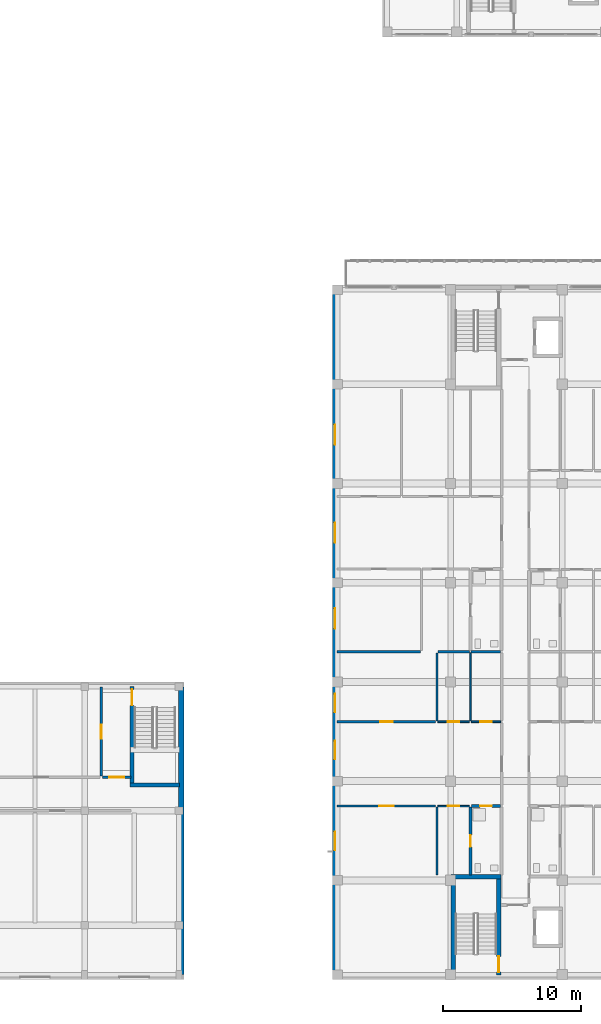
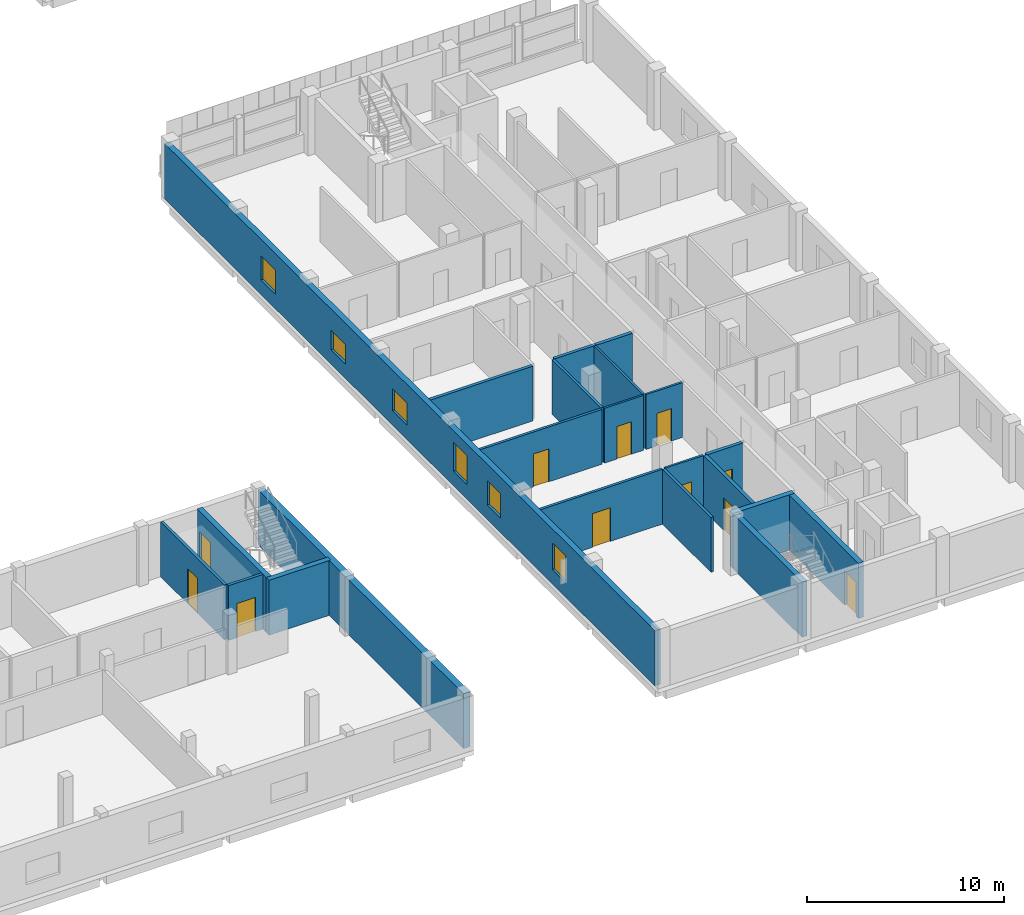
# One storey, part 46 of 73: 22 walls, 11 doors, 6 windows, 17 openings.
"""IFC4 building model written with IfcOpenShell, lengths in metres."""

from ifc_helpers import new_model, si_unit, derived_unit, direction, frame, frame_2d, origin, place, context, subcontext, project, spatial, rectangle, extrude, material, layer, layer_set, type_object, element, fill, save


model = new_model("IFC4")

# Units and contexts
model_context = context("Model", 3, precision=1e-05, world=origin(), true_north=direction((0.0, 1.0)))
body_context = subcontext(model_context, "Body", "Model", "MODEL_VIEW")
ifc_project = project(units=[si_unit("LENGTHUNIT", "METRE"), si_unit("AREAUNIT", "SQUARE_METRE"), si_unit("VOLUMEUNIT", "CUBIC_METRE"), si_unit("PLANEANGLEUNIT", "RADIAN"), si_unit("MASSUNIT", "GRAM", prefix="KILO"), derived_unit("THERMALTRANSMITTANCEUNIT", [(si_unit("MASSUNIT", "GRAM", prefix="KILO"), 1), (si_unit("TIMEUNIT", "SECOND"), -3), (si_unit("THERMODYNAMICTEMPERATUREUNIT", "KELVIN"), -1)])], contexts=[model_context])

# Site, building, storey
site_placement = place(None, origin())
site = spatial("IfcSite", under=ifc_project, at=site_placement, CompositionType="ELEMENT")
building_placement = place(site_placement, origin())
building = spatial("IfcBuilding", under=site, at=building_placement, Name="Ochrekiln Boulevard Commons", CompositionType="ELEMENT")
storey_placement = place(building_placement, frame((0.0, 0.0, 4.89990234375)))
storey = spatial("IfcBuildingStorey", under=building, at=storey_placement, Name="L01", CompositionType="ELEMENT", Elevation=4.89990234375)

# Wall
ifc_material_1 = material(Name="Desert ochre clinker brick masonry ASTM C216 Grade SW", Category="masonry")
ifc_layer_1 = layer(ifc_material_1, 0.3798828125)
ifc_layer_set_1 = layer_set([ifc_layer_1], Name="Desert ochre clinker brick masonry ASTM C216 Grade SW")
wall_type_1 = type_object("IfcWallType", Name="WL-EXT-ARC-380", PredefinedType="SOLIDWALL", material=ifc_layer_set_1)
wall_1_placement = place(storey_placement, frame((136.610107421875, 0.3798828125, 0.0), z_axis=(0.0, 0.0, 1.0), x_axis=(0.0, 1.0, 0.0)))
element("IfcWall", 1, at=wall_1_placement, inside=storey, type_object=wall_type_1, Name="East Boulevard Arcade L01 E Exterior Wall", PredefinedType="SOLIDWALL", context=body_context, shape_type="SweptSolid", body=[
    extrude(rectangle(XDim=20.840087890625, YDim=0.3798828125, at=frame_2d((10.419921875, 0.0))), origin(), (0.0, 0.0, 1.0), 3.400146484375),
])

# Wall, openings, windows
ifc_layer_2 = layer(ifc_material_1, 0.330078125)
ifc_layer_set_2 = layer_set([ifc_layer_2], Name="Desert ochre clinker brick masonry ASTM C216 Grade SW")
wall_type_2 = type_object("IfcWallType", Name="WL-EXT-OCHRE-330", PredefinedType="SOLIDWALL", material=ifc_layer_set_2)
wall_2_placement = place(storey_placement, frame((147.764892578125, 0.330078125, 0.0), z_axis=(0.0, 0.0, 1.0), x_axis=(0.0, 1.0, 0.0)))
wall_2 = element("IfcWall", 2, at=wall_2_placement, inside=storey, type_object=wall_type_2, Name="Block C L01 W Exterior Wall", PredefinedType="SOLIDWALL", context=body_context, shape_type="SweptSolid", body=[
    extrude(rectangle(XDim=49.739990234375, YDim=0.330078125, at=frame_2d((24.8701171875, 0.0))), origin(), (0.0, 0.0, 1.0), 3.4150390625),
])
opening_1_placement = place(wall_2_placement, frame((15.64501953125, 0.0, 0.89990234375)))
opening_1 = element("IfcOpeningElement", 3, at=opening_1_placement, cuts=wall_2, Name="Opening W-23", PredefinedType="OPENING", context=body_context, shape_type="SweptSolid", body=[
    extrude(rectangle(XDim=1.35009765625, YDim=1.5, at=frame_2d((0.675048828125, 0.75))), frame((0.0, 0.175048828125, 0.0), z_axis=(0.0, -1.0, 0.0), x_axis=(1.0, 0.0, 0.0)), (0.0, 0.0, 1.0), 0.35009765625),
])
opening_2_placement = place(wall_2_placement, frame((9.051025390625, 0.0, 0.89990234375)))
opening_2 = element("IfcOpeningElement", 4, at=opening_2_placement, cuts=wall_2, Name="Opening W-24", PredefinedType="OPENING", context=body_context, shape_type="SweptSolid", body=[
    extrude(rectangle(XDim=1.35009765625, YDim=1.64990234375, at=frame_2d((0.675048828125, 0.824951171875))), frame((0.0, 0.175048828125, 0.0), z_axis=(0.0, -1.0, 0.0), x_axis=(1.0, 0.0, 0.0)), (0.0, 0.0, 1.0), 0.35009765625),
])
opening_3_placement = place(wall_2_placement, frame((19.054931640625, 0.0, 0.89990234375)))
opening_3 = element("IfcOpeningElement", 5, at=opening_3_placement, cuts=wall_2, Name="Opening W-25", PredefinedType="OPENING", context=body_context, shape_type="SweptSolid", body=[
    extrude(rectangle(XDim=1.35009765625, YDim=1.800048828125, at=frame_2d((0.675048828125, 0.89990234375))), frame((0.0, 0.175048828125, 0.0), z_axis=(0.0, -1.0, 0.0), x_axis=(1.0, 0.0, 0.0)), (0.0, 0.0, 1.0), 0.35009765625),
])
opening_4_placement = place(wall_2_placement, frame((31.35107421875, 0.0, 0.89990234375)))
opening_4 = element("IfcOpeningElement", 6, at=opening_4_placement, cuts=wall_2, Name="Opening W-26", PredefinedType="OPENING", context=body_context, shape_type="SweptSolid", body=[
    extrude(rectangle(XDim=1.47998046875, YDim=1.199951171875, at=frame_2d((0.739990234375, 0.60009765625))), frame((0.0, 0.175048828125, 0.0), z_axis=(0.0, -1.0, 0.0), x_axis=(1.0, 0.0, 0.0)), (0.0, 0.0, 1.0), 0.35009765625),
])
opening_5_placement = place(wall_2_placement, frame((25.135986328125, 0.0, 0.89990234375)))
opening_5 = element("IfcOpeningElement", 7, at=opening_5_placement, cuts=wall_2, Name="Opening W-27", PredefinedType="OPENING", context=body_context, shape_type="SweptSolid", body=[
    extrude(rectangle(XDim=1.47998046875, YDim=1.35009765625, at=frame_2d((0.739990234375, 0.675048828125))), frame((0.0, 0.175048828125, 0.0), z_axis=(0.0, -1.0, 0.0), x_axis=(1.0, 0.0, 0.0)), (0.0, 0.0, 1.0), 0.35009765625),
])
opening_6_placement = place(wall_2_placement, frame((38.465087890625, 0.0, 0.89990234375)))
opening_6 = element("IfcOpeningElement", 8, at=opening_6_placement, cuts=wall_2, Name="Opening W-28", PredefinedType="OPENING", context=body_context, shape_type="SweptSolid", body=[
    extrude(rectangle(XDim=1.47998046875, YDim=1.5, at=frame_2d((0.739990234375, 0.75))), frame((0.0, 0.175048828125, 0.0), z_axis=(0.0, -1.0, 0.0), x_axis=(1.0, 0.0, 0.0)), (0.0, 0.0, 1.0), 0.35009765625),
])
ifc_material_2 = material(Name="Thermally broken aluminium-clad oak frame", Category="aluminium")
window_type_1 = type_object("IfcWindowType", Name="WIN-EXT-23", PartitioningType="SINGLE_PANEL", PredefinedType="WINDOW", material=ifc_material_2)
window_1_placement = place(opening_1_placement, origin())
window_1 = element("IfcWindow", 9, at=window_1_placement, inside=storey, type_object=window_type_1, Name="Block C L01 Punched Masonry Window W-23", OverallHeight=1.5, OverallWidth=1.35009765625, PartitioningType="SINGLE_PANEL", PredefinedType="WINDOW", context=body_context, shape_type="SweptSolid", body=[
    extrude(rectangle(XDim=1.35009765625, YDim=1.5, at=frame_2d((0.675048828125, 0.75))), frame((0.0, 0.030029296875, 0.0), z_axis=(0.0, -1.0, 0.0), x_axis=(1.0, 0.0, 0.0)), (0.0, 0.0, 1.0), 0.06005859375),
])
fill(opening_1, window_1)
window_type_2 = type_object("IfcWindowType", Name="WIN-EXT-24", PartitioningType="SINGLE_PANEL", PredefinedType="WINDOW", material=ifc_material_2)
window_2_placement = place(opening_2_placement, origin())
window_2 = element("IfcWindow", 10, at=window_2_placement, inside=storey, type_object=window_type_2, Name="Block C L01 Punched Masonry Window W-24", OverallHeight=1.64990234375, OverallWidth=1.35009765625, PartitioningType="SINGLE_PANEL", PredefinedType="WINDOW", context=body_context, shape_type="SweptSolid", body=[
    extrude(rectangle(XDim=1.35009765625, YDim=1.64990234375, at=frame_2d((0.675048828125, 0.824951171875))), frame((0.0, 0.030029296875, 0.0), z_axis=(0.0, -1.0, 0.0), x_axis=(1.0, 0.0, 0.0)), (0.0, 0.0, 1.0), 0.06005859375),
])
fill(opening_2, window_2)
window_type_3 = type_object("IfcWindowType", Name="WIN-EXT-25", PartitioningType="SINGLE_PANEL", PredefinedType="WINDOW", material=ifc_material_2)
window_3_placement = place(opening_3_placement, origin())
window_3 = element("IfcWindow", 11, at=window_3_placement, inside=storey, type_object=window_type_3, Name="Block C L01 Punched Masonry Window W-25", OverallHeight=1.800048828125, OverallWidth=1.35009765625, PartitioningType="SINGLE_PANEL", PredefinedType="WINDOW", context=body_context, shape_type="SweptSolid", body=[
    extrude(rectangle(XDim=1.35009765625, YDim=1.800048828125, at=frame_2d((0.675048828125, 0.89990234375))), frame((0.0, 0.030029296875, 0.0), z_axis=(0.0, -1.0, 0.0), x_axis=(1.0, 0.0, 0.0)), (0.0, 0.0, 1.0), 0.06005859375),
])
fill(opening_3, window_3)
window_type_4 = type_object("IfcWindowType", Name="WIN-EXT-26", PartitioningType="SINGLE_PANEL", PredefinedType="WINDOW", material=ifc_material_2)
window_4_placement = place(opening_4_placement, origin())
window_4 = element("IfcWindow", 12, at=window_4_placement, inside=storey, type_object=window_type_4, Name="Block C L01 Punched Masonry Window W-26", OverallHeight=1.199951171875, OverallWidth=1.47998046875, PartitioningType="SINGLE_PANEL", PredefinedType="WINDOW", context=body_context, shape_type="SweptSolid", body=[
    extrude(rectangle(XDim=1.47998046875, YDim=1.199951171875, at=frame_2d((0.739990234375, 0.60009765625))), frame((0.0, 0.030029296875, 0.0), z_axis=(0.0, -1.0, 0.0), x_axis=(1.0, 0.0, 0.0)), (0.0, 0.0, 1.0), 0.06005859375),
])
fill(opening_4, window_4)
window_type_5 = type_object("IfcWindowType", Name="WIN-EXT-27", PartitioningType="SINGLE_PANEL", PredefinedType="WINDOW", material=ifc_material_2)
window_5_placement = place(opening_5_placement, origin())
window_5 = element("IfcWindow", 13, at=window_5_placement, inside=storey, type_object=window_type_5, Name="Block C L01 Punched Masonry Window W-27", OverallHeight=1.35009765625, OverallWidth=1.47998046875, PartitioningType="SINGLE_PANEL", PredefinedType="WINDOW", context=body_context, shape_type="SweptSolid", body=[
    extrude(rectangle(XDim=1.47998046875, YDim=1.35009765625, at=frame_2d((0.739990234375, 0.675048828125))), frame((0.0, 0.030029296875, 0.0), z_axis=(0.0, -1.0, 0.0), x_axis=(1.0, 0.0, 0.0)), (0.0, 0.0, 1.0), 0.06005859375),
])
fill(opening_5, window_5)
window_type_6 = type_object("IfcWindowType", Name="WIN-EXT-28", PartitioningType="SINGLE_PANEL", PredefinedType="WINDOW", material=ifc_material_2)
window_6_placement = place(opening_6_placement, origin())
window_6 = element("IfcWindow", 14, at=window_6_placement, inside=storey, type_object=window_type_6, Name="Block C L01 Punched Masonry Window W-28", OverallHeight=1.5, OverallWidth=1.47998046875, PartitioningType="SINGLE_PANEL", PredefinedType="WINDOW", context=body_context, shape_type="SweptSolid", body=[
    extrude(rectangle(XDim=1.47998046875, YDim=1.5, at=frame_2d((0.739990234375, 0.75))), frame((0.0, 0.030029296875, 0.0), z_axis=(0.0, -1.0, 0.0), x_axis=(1.0, 0.0, 0.0)), (0.0, 0.0, 1.0), 0.06005859375),
])
fill(opening_6, window_6)

# Wall, opening, door
ifc_material_3 = material(Name="Moisture-resistant cementitious tile backer wall")
ifc_layer_3 = layer(ifc_material_3, 0.199951171875)
ifc_layer_set_3 = layer_set([ifc_layer_3], Name="Moisture-resistant cementitious tile backer wall")
wall_type_3 = type_object("IfcWallType", Name="WL-PLM-200", PredefinedType="PLUMBINGWALL", material=ifc_layer_set_3)
wall_3_placement = place(storey_placement, frame((157.669921875, 12.592041015625, 0.0), z_axis=(0.0, 0.0, 1.0), x_axis=(1.0, 0.0, 0.0)))
wall_3 = element("IfcWall", 15, at=wall_3_placement, inside=storey, type_object=wall_type_3, Name="L01 Interior Wall W-PW200", PredefinedType="PLUMBINGWALL", context=body_context, shape_type="SweptSolid", body=[
    extrude(rectangle(XDim=2.108154296875, YDim=0.199951171875, at=frame_2d((1.05419921875, 0.0))), origin(), (0.0, 0.0, 1.0), 3.39501953125),
])
opening_7_placement = place(wall_3_placement, frame((0.6201171875, 0.0, 0.0)))
opening_7 = element("IfcOpeningElement", 16, at=opening_7_placement, cuts=wall_3, Name="Opening D-L01-213", PredefinedType="OPENING", context=body_context, shape_type="SweptSolid", body=[
    extrude(rectangle(XDim=0.860107421875, YDim=2.0, at=frame_2d((0.43017578125, 1.0))), frame((0.0, 0.10986328125, 0.0), z_axis=(0.0, -1.0, 0.0), x_axis=(1.0, 0.0, 0.0)), (0.0, 0.0, 1.0), 0.219970703125),
])
ifc_material_4 = material(Name="Solid core architectural oak door leaf")
door_type_1 = type_object("IfcDoorType", Name="DR-INT-BTH-086", OperationType="NOTDEFINED", PredefinedType="DOOR", material=ifc_material_4)
door_1_placement = place(opening_7_placement, frame((0.860107421875, 0.0, 0.0), z_axis=(0.0, 0.0, 1.0), x_axis=(-1.0, 0.0, 0.0)))
door_1 = element("IfcDoor", 17, at=door_1_placement, inside=storey, type_object=door_type_1, Name="L01 Interior Door to Accessible Apartment Bathroom", OperationType="SINGLE_SWING_LEFT", OverallHeight=2.0, OverallWidth=0.860107421875, PredefinedType="DOOR", context=body_context, shape_type="SweptSolid", body=[
    extrude(rectangle(XDim=0.860107421875, YDim=2.0, at=frame_2d((0.43017578125, 1.0))), frame((0.0, 0.02490234375, 0.0), z_axis=(0.0, -1.0, 0.0), x_axis=(1.0, 0.0, 0.0)), (0.0, 0.0, 1.0), 0.050048828125),
])
fill(opening_7, door_1)

wall_4_placement = place(storey_placement, frame((157.590087890625, 7.60009765625, 0.0), z_axis=(0.0, 0.0, 1.0), x_axis=(0.0, 1.0, 0.0)))
wall_4 = element("IfcWall", 18, at=wall_4_placement, inside=storey, type_object=wall_type_3, Name="L01 Interior Wall W-PW200", PredefinedType="PLUMBINGWALL", context=body_context, shape_type="SweptSolid", body=[
    extrude(rectangle(XDim=4.931884765625, YDim=0.199951171875, at=frame_2d((2.4658203125, 0.0))), origin(), (0.0, 0.0, 1.0), 3.39501953125),
])
opening_8_placement = place(wall_4_placement, frame((2.031005859375, 0.0, 0.0)))
opening_8 = element("IfcOpeningElement", 19, at=opening_8_placement, cuts=wall_4, Name="Opening D-L01-219", PredefinedType="OPENING", context=body_context, shape_type="SweptSolid", body=[
    extrude(rectangle(XDim=0.85009765625, YDim=2.010009765625, at=frame_2d((0.425048828125, 1.0048828125))), frame((0.0, 0.10986328125, 0.0), z_axis=(0.0, -1.0, 0.0), x_axis=(1.0, 0.0, 0.0)), (0.0, 0.0, 1.0), 0.219970703125),
])
door_type_2 = type_object("IfcDoorType", Name="DR-INT-KIT-085", OperationType="NOTDEFINED", PredefinedType="DOOR", material=ifc_material_4)
door_2_placement = place(opening_8_placement, frame((0.85009765625, 0.0, 0.0), z_axis=(0.0, 0.0, 1.0), x_axis=(-1.0, 0.0, 0.0)))
door_2 = element("IfcDoor", 20, at=door_2_placement, inside=storey, type_object=door_type_2, Name="L01 Interior Door to Accessible Apartment Bathroom", OperationType="SINGLE_SWING_LEFT", OverallHeight=2.010009765625, OverallWidth=0.85009765625, PredefinedType="DOOR", context=body_context, shape_type="SweptSolid", body=[
    extrude(rectangle(XDim=0.85009765625, YDim=2.010009765625, at=frame_2d((0.425048828125, 1.0048828125))), frame((0.0, 0.02490234375, 0.0), z_axis=(0.0, -1.0, 0.0), x_axis=(1.0, 0.0, 0.0)), (0.0, 0.0, 1.0), 0.050048828125),
])
fill(opening_8, door_2)

# Wall
wall_5_placement = place(storey_placement, frame((157.64990234375, 23.7919921875, 0.0), z_axis=(0.0, 0.0, 1.0), x_axis=(1.0, 0.0, 0.0)))
element("IfcWall", 21, at=wall_5_placement, inside=storey, type_object=wall_type_3, Name="L01 Interior Wall W-PW200", PredefinedType="PLUMBINGWALL", context=body_context, shape_type="SweptSolid", body=[
    extrude(rectangle(XDim=2.128173828125, YDim=0.199951171875, at=frame_2d((1.06396484375, 0.0))), origin(), (0.0, 0.0, 1.0), 3.39501953125),
])

# Wall, opening, door
ifc_material_5 = material(Name="Fire-rated Type X gypsum board on steel studs", Category="steel")
ifc_layer_4 = layer(ifc_material_5, 0.1650390625)
ifc_layer_set_4 = layer_set([ifc_layer_4], Name="Fire-rated Type X gypsum board on steel studs")
wall_type_4 = type_object("IfcWallType", Name="WL-PT-CORR-165", PredefinedType="PARTITIONING", material=ifc_layer_set_4)
wall_6_placement = place(storey_placement, frame((130.89990234375, 14.68994140625, 0.0), z_axis=(0.0, 0.0, 1.0), x_axis=(1.0, 0.0, 0.0)))
wall_6 = element("IfcWall", 22, at=wall_6_placement, inside=storey, type_object=wall_type_4, Name="L01 Interior Wall W-PC165", PredefinedType="PARTITIONING", context=body_context, shape_type="SweptSolid", body=[
    extrude(rectangle(XDim=2.050048828125, YDim=0.1650390625, at=frame_2d((1.02490234375, 0.0))), origin(), (0.0, 0.0, 1.0), 3.39013671875),
])
opening_9_placement = place(wall_6_placement, frame((0.47509765625, 0.0, 0.0)))
opening_9 = element("IfcOpeningElement", 23, at=opening_9_placement, cuts=wall_6, Name="Opening D-L01-301", PredefinedType="OPENING", context=body_context, shape_type="SweptSolid", body=[
    extrude(rectangle(XDim=1.10009765625, YDim=2.1201171875, at=frame_2d((0.550048828125, 1.06005859375))), frame((0.0, 0.092529296875, 0.0), z_axis=(0.0, -1.0, 0.0), x_axis=(1.0, 0.0, 0.0)), (0.0, 0.0, 1.0), 0.18505859375),
])
ifc_material_6 = material(Name="Hollow metal fire-rated steel door assembly", Category="steel")
door_type_3 = type_object("IfcDoorType", Name="DR-LOBBY-60", OperationType="NOTDEFINED", PredefinedType="DOOR", material=ifc_material_6)
door_3_placement = place(opening_9_placement, origin())
door_3 = element("IfcDoor", 24, at=door_3_placement, inside=storey, type_object=door_type_3, Name="L01 Interior Door to Studio East Stair Corridor", OperationType="SINGLE_SWING_LEFT", OverallHeight=2.1201171875, OverallWidth=1.10009765625, PredefinedType="DOOR", context=body_context, shape_type="SweptSolid", body=[
    extrude(rectangle(XDim=1.10009765625, YDim=2.1201171875, at=frame_2d((0.550048828125, 1.06005859375))), frame((0.0, 0.02490234375, 0.0), z_axis=(0.0, -1.0, 0.0), x_axis=(1.0, 0.0, 0.0)), (0.0, 0.0, 1.0), 0.050048828125),
])
fill(opening_9, door_3)

wall_7_placement = place(storey_placement, frame((130.81005859375, 14.77197265625, 0.0), z_axis=(0.0, 0.0, 1.0), x_axis=(0.0, 1.0, 0.0)))
wall_7 = element("IfcWall", 25, at=wall_7_placement, inside=storey, type_object=wall_type_4, Name="L01 Interior Wall W-PC165", PredefinedType="PARTITIONING", context=body_context, shape_type="SweptSolid", body=[
    extrude(rectangle(XDim=6.447998046875, YDim=0.1650390625, at=frame_2d((3.22412109375, 0.0))), origin(), (0.0, 0.0, 1.0), 3.39013671875),
])
opening_10_placement = place(wall_7_placement, frame((2.718017578125, 0.0, 0.0)))
opening_10 = element("IfcOpeningElement", 26, at=opening_10_placement, cuts=wall_7, Name="Opening D-L01-306", PredefinedType="OPENING", context=body_context, shape_type="SweptSolid", body=[
    extrude(rectangle(XDim=1.02001953125, YDim=2.159912109375, at=frame_2d((0.510009765625, 1.080078125))), frame((0.0, 0.092529296875, 0.0), z_axis=(0.0, -1.0, 0.0), x_axis=(1.0, 0.0, 0.0)), (0.0, 0.0, 1.0), 0.18505859375),
])
door_type_4 = type_object("IfcDoorType", Name="DR-INT-CIV-102", OperationType="NOTDEFINED", PredefinedType="DOOR", material=ifc_material_4)
door_4_placement = place(opening_10_placement, origin())
door_4 = element("IfcDoor", 27, at=door_4_placement, inside=storey, type_object=door_type_4, Name="L01 Interior Door to Community Craft Room", OperationType="SINGLE_SWING_RIGHT", OverallHeight=2.159912109375, OverallWidth=1.02001953125, PredefinedType="DOOR", context=body_context, shape_type="SweptSolid", body=[
    extrude(rectangle(XDim=1.02001953125, YDim=2.159912109375, at=frame_2d((0.510009765625, 1.080078125))), frame((0.0, 0.02490234375, 0.0), z_axis=(0.0, -1.0, 0.0), x_axis=(1.0, 0.0, 0.0)), (0.0, 0.0, 1.0), 0.050048828125),
])
fill(opening_10, door_4)

# Walls
ifc_layer_5 = layer(ifc_material_5, 0.179931640625)
ifc_layer_set_5 = layer_set([ifc_layer_5], Name="Fire-rated Type X gypsum board on steel studs")
wall_type_5 = type_object("IfcWallType", Name="WL-PT-DEM-180", PredefinedType="PARTITIONING", material=ifc_layer_set_5)
wall_8_placement = place(storey_placement, frame((147.929931640625, 23.7919921875, 0.0), z_axis=(0.0, 0.0, 1.0), x_axis=(1.0, 0.0, 0.0)))
element("IfcWall", 28, at=wall_8_placement, inside=storey, type_object=wall_type_5, Name="L01 Interior Wall W-PD180", PredefinedType="PARTITIONING", context=body_context, shape_type="SweptSolid", body=[
    extrude(rectangle(XDim=6.02294921875, YDim=0.179931640625, at=frame_2d((3.011474609375, 0.0))), origin(), (0.0, 0.0, 1.0), 3.39501953125),
])
wall_9_placement = place(storey_placement, frame((155.22998046875, 23.7919921875, 0.0), z_axis=(0.0, 0.0, 1.0), x_axis=(1.0, 0.0, 0.0)))
element("IfcWall", 29, at=wall_9_placement, inside=storey, type_object=wall_type_5, Name="L01 Interior Wall W-PD180", PredefinedType="PARTITIONING", context=body_context, shape_type="SweptSolid", body=[
    extrude(rectangle(XDim=2.300048828125, YDim=0.179931640625, at=frame_2d((1.14990234375, 0.0))), origin(), (0.0, 0.0, 1.0), 3.39501953125),
])

# Wall, opening, door
ifc_layer_6 = layer(ifc_material_5, 0.1201171875)
ifc_layer_set_6 = layer_set([ifc_layer_6], Name="Fire-rated Type X gypsum board on steel studs")
wall_type_6 = type_object("IfcWallType", Name="WL-PT-LGT-120", PredefinedType="PARTITIONING", material=ifc_layer_set_6)
wall_10_placement = place(storey_placement, frame((157.669921875, 18.7099609375, 0.0), z_axis=(0.0, 0.0, 1.0), x_axis=(1.0, 0.0, 0.0)))
wall_10 = element("IfcWall", 30, at=wall_10_placement, inside=storey, type_object=wall_type_6, Name="L01 Interior Wall W-PL120", PredefinedType="PARTITIONING", context=body_context, shape_type="SweptSolid", body=[
    extrude(rectangle(XDim=2.108154296875, YDim=0.1201171875, at=frame_2d((1.05419921875, 0.0))), origin(), (0.0, 0.0, 1.0), 3.39501953125),
])
opening_11_placement = place(wall_10_placement, frame((0.625, 0.0, 0.0)))
opening_11 = element("IfcOpeningElement", 31, at=opening_11_placement, cuts=wall_10, Name="Opening D-L01-214", PredefinedType="OPENING", context=body_context, shape_type="SweptSolid", body=[
    extrude(rectangle(XDim=0.85009765625, YDim=2.010009765625, at=frame_2d((0.425048828125, 1.0048828125))), frame((0.0, 0.070068359375, 0.0), z_axis=(0.0, -1.0, 0.0), x_axis=(1.0, 0.0, 0.0)), (0.0, 0.0, 1.0), 0.14013671875),
])
door_5_placement = place(opening_11_placement, origin())
door_5 = element("IfcDoor", 32, at=door_5_placement, inside=storey, type_object=door_type_2, Name="L01 Interior Door to Apartment Kitchen", OperationType="SINGLE_SWING_RIGHT", OverallHeight=2.010009765625, OverallWidth=0.85009765625, PredefinedType="DOOR", context=body_context, shape_type="SweptSolid", body=[
    extrude(rectangle(XDim=0.85009765625, YDim=2.010009765625, at=frame_2d((0.425048828125, 1.0048828125))), frame((0.0, 0.02490234375, 0.0), z_axis=(0.0, -1.0, 0.0), x_axis=(1.0, 0.0, 0.0)), (0.0, 0.0, 1.0), 0.050048828125),
])
fill(opening_11, door_5)

wall_11_placement = place(storey_placement, frame((155.235107421875, 12.592041015625, 0.0), z_axis=(0.0, 0.0, 1.0), x_axis=(1.0, 0.0, 0.0)))
wall_11 = element("IfcWall", 33, at=wall_11_placement, inside=storey, type_object=wall_type_6, Name="L01 Interior Wall W-PL120", PredefinedType="PARTITIONING", context=body_context, shape_type="SweptSolid", body=[
    extrude(rectangle(XDim=2.27490234375, YDim=0.1201171875, at=frame_2d((1.137451171875, 0.0))), origin(), (0.0, 0.0, 1.0), 3.39501953125),
])
opening_12_placement = place(wall_11_placement, frame((0.7119140625, 0.0, 0.0)))
opening_12 = element("IfcOpeningElement", 34, at=opening_12_placement, cuts=wall_11, Name="Opening D-L01-216", PredefinedType="OPENING", context=body_context, shape_type="SweptSolid", body=[
    extrude(rectangle(XDim=0.85009765625, YDim=2.010009765625, at=frame_2d((0.425048828125, 1.0048828125))), frame((0.0, 0.070068359375, 0.0), z_axis=(0.0, -1.0, 0.0), x_axis=(1.0, 0.0, 0.0)), (0.0, 0.0, 1.0), 0.14013671875),
])
door_6_placement = place(opening_12_placement, frame((0.85009765625, 0.0, 0.0), z_axis=(0.0, 0.0, 1.0), x_axis=(-1.0, 0.0, 0.0)))
door_6 = element("IfcDoor", 35, at=door_6_placement, inside=storey, type_object=door_type_2, Name="L01 Interior Door to Apartment Walk-In Wardrobe", OperationType="SINGLE_SWING_RIGHT", OverallHeight=2.010009765625, OverallWidth=0.85009765625, PredefinedType="DOOR", context=body_context, shape_type="SweptSolid", body=[
    extrude(rectangle(XDim=0.85009765625, YDim=2.010009765625, at=frame_2d((0.425048828125, 1.0048828125))), frame((0.0, 0.02490234375, 0.0), z_axis=(0.0, -1.0, 0.0), x_axis=(1.0, 0.0, 0.0)), (0.0, 0.0, 1.0), 0.050048828125),
])
fill(opening_12, door_6)

wall_12_placement = place(storey_placement, frame((155.235107421875, 18.7099609375, 0.0), z_axis=(0.0, 0.0, 1.0), x_axis=(1.0, 0.0, 0.0)))
wall_12 = element("IfcWall", 36, at=wall_12_placement, inside=storey, type_object=wall_type_6, Name="L01 Interior Wall W-PL120", PredefinedType="PARTITIONING", context=body_context, shape_type="SweptSolid", body=[
    extrude(rectangle(XDim=2.27490234375, YDim=0.1201171875, at=frame_2d((1.137451171875, 0.0))), origin(), (0.0, 0.0, 1.0), 3.39501953125),
])
opening_13_placement = place(wall_12_placement, frame((0.7119140625, 0.0, 0.0)))
opening_13 = element("IfcOpeningElement", 37, at=opening_13_placement, cuts=wall_12, Name="Opening D-L01-218", PredefinedType="OPENING", context=body_context, shape_type="SweptSolid", body=[
    extrude(rectangle(XDim=0.85009765625, YDim=2.010009765625, at=frame_2d((0.425048828125, 1.0048828125))), frame((0.0, 0.070068359375, 0.0), z_axis=(0.0, -1.0, 0.0), x_axis=(1.0, 0.0, 0.0)), (0.0, 0.0, 1.0), 0.14013671875),
])
door_7_placement = place(opening_13_placement, origin())
door_7 = element("IfcDoor", 38, at=door_7_placement, inside=storey, type_object=door_type_2, Name="L01 Interior Door to Apartment Walk-In Wardrobe", OperationType="SINGLE_SWING_RIGHT", OverallHeight=2.010009765625, OverallWidth=0.85009765625, PredefinedType="DOOR", context=body_context, shape_type="SweptSolid", body=[
    extrude(rectangle(XDim=0.85009765625, YDim=2.010009765625, at=frame_2d((0.425048828125, 1.0048828125))), frame((0.0, 0.02490234375, 0.0), z_axis=(0.0, -1.0, 0.0), x_axis=(1.0, 0.0, 0.0)), (0.0, 0.0, 1.0), 0.050048828125),
])
fill(opening_13, door_7)

# Wall
wall_13_placement = place(storey_placement, frame((157.590087890625, 18.77001953125, 0.0), z_axis=(0.0, 0.0, 1.0), x_axis=(0.0, 1.0, 0.0)))
element("IfcWall", 39, at=wall_13_placement, inside=storey, type_object=wall_type_6, Name="L01 Interior Wall W-PL120", PredefinedType="PARTITIONING", context=body_context, shape_type="SweptSolid", body=[
    extrude(rectangle(XDim=4.931884765625, YDim=0.1201171875, at=frame_2d((2.4658203125, 0.0))), origin(), (0.0, 0.0, 1.0), 3.39501953125),
])

# Wall, opening, door
ifc_layer_7 = layer(ifc_material_5, 0.14990234375)
ifc_layer_set_7 = layer_set([ifc_layer_7], Name="Fire-rated Type X gypsum board on steel studs")
wall_type_7 = type_object("IfcWallType", Name="WL-PT-STD-150", PredefinedType="PARTITIONING", material=ifc_layer_set_7)
wall_14_placement = place(storey_placement, frame((147.929931640625, 12.592041015625, 0.0), z_axis=(0.0, 0.0, 1.0), x_axis=(1.0, 0.0, 0.0)))
wall_14 = element("IfcWall", 40, at=wall_14_placement, inside=storey, type_object=wall_type_7, Name="L01 Interior Wall W-PS150", PredefinedType="PARTITIONING", context=body_context, shape_type="SweptSolid", body=[
    extrude(rectangle(XDim=7.14501953125, YDim=0.14990234375, at=frame_2d((3.572509765625, 0.0))), origin(), (0.0, 0.0, 1.0), 3.39501953125),
])
opening_14_placement = place(wall_14_placement, frame((3.06201171875, 0.0, 0.0)))
opening_14 = element("IfcOpeningElement", 41, at=opening_14_placement, cuts=wall_14, Name="Opening D-L01-215", PredefinedType="OPENING", context=body_context, shape_type="SweptSolid", body=[
    extrude(rectangle(XDim=1.0400390625, YDim=2.080078125, at=frame_2d((0.52001953125, 1.0400390625))), frame((0.0, 0.0849609375, 0.0), z_axis=(0.0, -1.0, 0.0), x_axis=(1.0, 0.0, 0.0)), (0.0, 0.0, 1.0), 0.169921875),
])
door_type_5 = type_object("IfcDoorType", Name="DR-INT-BED-104", OperationType="NOTDEFINED", PredefinedType="DOOR", material=ifc_material_4)
door_8_placement = place(opening_14_placement, frame((1.0400390625, 0.0, 0.0), z_axis=(0.0, 0.0, 1.0), x_axis=(-1.0, 0.0, 0.0)))
door_8 = element("IfcDoor", 42, at=door_8_placement, inside=storey, type_object=door_type_5, Name="L01 Interior Door to Primary Apartment Bedroom", OperationType="SINGLE_SWING_LEFT", OverallHeight=2.080078125, OverallWidth=1.0400390625, PredefinedType="DOOR", context=body_context, shape_type="SweptSolid", body=[
    extrude(rectangle(XDim=1.0400390625, YDim=2.080078125, at=frame_2d((0.52001953125, 1.0400390625))), frame((0.0, 0.02490234375, 0.0), z_axis=(0.0, -1.0, 0.0), x_axis=(1.0, 0.0, 0.0)), (0.0, 0.0, 1.0), 0.050048828125),
])
fill(opening_14, door_8)

wall_15_placement = place(storey_placement, frame((147.929931640625, 18.7099609375, 0.0), z_axis=(0.0, 0.0, 1.0), x_axis=(1.0, 0.0, 0.0)))
wall_15 = element("IfcWall", 43, at=wall_15_placement, inside=storey, type_object=wall_type_7, Name="L01 Interior Wall W-PS150", PredefinedType="PARTITIONING", context=body_context, shape_type="SweptSolid", body=[
    extrude(rectangle(XDim=7.14501953125, YDim=0.14990234375, at=frame_2d((3.572509765625, 0.0))), origin(), (0.0, 0.0, 1.0), 3.39501953125),
])
opening_15_placement = place(wall_15_placement, frame((3.132080078125, 0.0, 0.0)))
opening_15 = element("IfcOpeningElement", 44, at=opening_15_placement, cuts=wall_15, Name="Opening D-L01-217", PredefinedType="OPENING", context=body_context, shape_type="SweptSolid", body=[
    extrude(rectangle(XDim=0.89990234375, YDim=2.0400390625, at=frame_2d((0.449951171875, 1.02001953125))), frame((0.0, 0.0849609375, 0.0), z_axis=(0.0, -1.0, 0.0), x_axis=(1.0, 0.0, 0.0)), (0.0, 0.0, 1.0), 0.169921875),
])
door_type_6 = type_object("IfcDoorType", Name="DR-INT-BED-090", OperationType="NOTDEFINED", PredefinedType="DOOR", material=ifc_material_4)
door_9_placement = place(opening_15_placement, origin())
door_9 = element("IfcDoor", 45, at=door_9_placement, inside=storey, type_object=door_type_6, Name="L01 Interior Door to Secondary Apartment Bedroom", OperationType="SINGLE_SWING_LEFT", OverallHeight=2.0400390625, OverallWidth=0.89990234375, PredefinedType="DOOR", context=body_context, shape_type="SweptSolid", body=[
    extrude(rectangle(XDim=0.89990234375, YDim=2.0400390625, at=frame_2d((0.449951171875, 1.02001953125))), frame((0.0, 0.02490234375, 0.0), z_axis=(0.0, -1.0, 0.0), x_axis=(1.0, 0.0, 0.0)), (0.0, 0.0, 1.0), 0.050048828125),
])
fill(opening_15, door_9)

# Walls
wall_16_placement = place(storey_placement, frame((155.155029296875, 7.60009765625, 0.0), z_axis=(0.0, 0.0, 1.0), x_axis=(0.0, 1.0, 0.0)))
element("IfcWall", 46, at=wall_16_placement, inside=storey, type_object=wall_type_7, Name="L01 Interior Wall W-PS150", PredefinedType="PARTITIONING", context=body_context, shape_type="SweptSolid", body=[
    extrude(rectangle(XDim=4.9169921875, YDim=0.14990234375, at=frame_2d((2.45849609375, 0.0))), origin(), (0.0, 0.0, 1.0), 3.39501953125),
])
wall_17_placement = place(storey_placement, frame((155.155029296875, 18.77001953125, 0.0), z_axis=(0.0, 0.0, 1.0), x_axis=(0.0, 1.0, 0.0)))
element("IfcWall", 47, at=wall_17_placement, inside=storey, type_object=wall_type_7, Name="L01 Interior Wall W-PS150", PredefinedType="PARTITIONING", context=body_context, shape_type="SweptSolid", body=[
    extrude(rectangle(XDim=4.931884765625, YDim=0.14990234375, at=frame_2d((2.4658203125, 0.0))), origin(), (0.0, 0.0, 1.0), 3.39501953125),
])
ifc_material_7 = material(Name="Concrete C40/50", Category="concrete")
ifc_layer_8 = layer(ifc_material_7, 0.300048828125)
ifc_layer_set_8 = layer_set([ifc_layer_8], Name="Concrete C40/50")
wall_type_8 = type_object("IfcWallType", Name="WL-SH-300", PredefinedType="SHEAR", material=ifc_layer_set_8)
wall_18_placement = place(storey_placement, frame((156.199951171875, 7.469970703125, 0.0), z_axis=(0.0, 0.0, 1.0), x_axis=(1.0, 0.0, 0.0)))
element("IfcWall", 48, at=wall_18_placement, inside=storey, type_object=wall_type_8, Name="Stair ST-C1 L01 Core Shear Wall N", PredefinedType="SHEAR", context=body_context, shape_type="SweptSolid", body=[
    extrude(rectangle(XDim=3.60009765625, YDim=0.300048828125, at=frame_2d((1.800048828125, 0.0))), origin(), (0.0, 0.0, 1.0), 3.4150390625),
])
wall_19_placement = place(storey_placement, frame((156.35009765625, 0.320068359375, 0.0), z_axis=(0.0, 0.0, 1.0), x_axis=(0.0, 1.0, 0.0)))
element("IfcWall", 49, at=wall_19_placement, inside=storey, type_object=wall_type_8, Name="Stair ST-C1 L01 Core Shear Wall W", PredefinedType="SHEAR", context=body_context, shape_type="SweptSolid", body=[
    extrude(rectangle(XDim=7.0, YDim=0.300048828125, at=frame_2d((3.5, 0.0))), origin(), (0.0, 0.0, 1.0), 3.4150390625),
])

# Wall, opening, door
wall_20_placement = place(storey_placement, frame((159.64990234375, 0.320068359375, 0.0), z_axis=(0.0, 0.0, 1.0), x_axis=(0.0, 1.0, 0.0)))
wall_20 = element("IfcWall", 50, at=wall_20_placement, inside=storey, type_object=wall_type_8, Name="Stair ST-C1 L01 Core Shear Wall E", PredefinedType="SHEAR", context=body_context, shape_type="SweptSolid", body=[
    extrude(rectangle(XDim=7.0, YDim=0.300048828125, at=frame_2d((3.5, 0.0))), origin(), (0.0, 0.0, 1.0), 3.4150390625),
])
opening_16_placement = place(wall_20_placement, frame((0.22509765625, 0.0, 0.0)))
opening_16 = element("IfcOpeningElement", 51, at=opening_16_placement, cuts=wall_20, Name="Opening D-L01-ST-C1", PredefinedType="OPENING", context=body_context, shape_type="SweptSolid", body=[
    extrude(rectangle(XDim=1.14990234375, YDim=2.1201171875, at=frame_2d((0.574951171875, 1.06005859375))), frame((0.0, 0.159912109375, 0.0), z_axis=(0.0, -1.0, 0.0), x_axis=(1.0, 0.0, 0.0)), (0.0, 0.0, 1.0), 0.320068359375),
])
door_type_7 = type_object("IfcDoorType", Name="DR-STAIR-90", OperationType="NOTDEFINED", PredefinedType="DOOR", material=ifc_material_6)
door_10_placement = place(opening_16_placement, origin())
door_10 = element("IfcDoor", 52, at=door_10_placement, inside=storey, type_object=door_type_7, Name="Enclosed Exit Stair ST-C1 L01 Rated Door", OperationType="SINGLE_SWING_LEFT", OverallHeight=2.1201171875, OverallWidth=1.14990234375, PredefinedType="DOOR", context=body_context, shape_type="SweptSolid", body=[
    extrude(rectangle(XDim=1.14990234375, YDim=2.1201171875, at=frame_2d((0.574951171875, 1.06005859375))), frame((0.0, 0.02490234375, 0.0), z_axis=(0.0, -1.0, 0.0), x_axis=(1.0, 0.0, 0.0)), (0.0, 0.0, 1.0), 0.050048828125),
])
fill(opening_16, door_10)

# Wall
wall_21_placement = place(storey_placement, frame((132.89990234375, 14.1298828125, 0.0), z_axis=(0.0, 0.0, 1.0), x_axis=(1.0, 0.0, 0.0)))
element("IfcWall", 53, at=wall_21_placement, inside=storey, type_object=wall_type_8, Name="Stair ST-E2 L01 Core Shear Wall S", PredefinedType="SHEAR", context=body_context, shape_type="SweptSolid", body=[
    extrude(rectangle(XDim=3.60009765625, YDim=0.300048828125, at=frame_2d((1.800048828125, 0.0))), origin(), (0.0, 0.0, 1.0), 3.400146484375),
])

# Wall, opening, door
wall_22_placement = place(storey_placement, frame((133.050048828125, 14.280029296875, 0.0), z_axis=(0.0, 0.0, 1.0), x_axis=(0.0, 1.0, 0.0)))
wall_22 = element("IfcWall", 54, at=wall_22_placement, inside=storey, type_object=wall_type_8, Name="Stair ST-E2 L01 Core Shear Wall W", PredefinedType="SHEAR", context=body_context, shape_type="SweptSolid", body=[
    extrude(rectangle(XDim=7.0, YDim=0.300048828125, at=frame_2d((3.5, 0.0))), origin(), (0.0, 0.0, 1.0), 3.400146484375),
])
opening_17_placement = place(wall_22_placement, frame((5.625, 0.0, 0.0)))
opening_17 = element("IfcOpeningElement", 55, at=opening_17_placement, cuts=wall_22, Name="Opening D-L01-ST-E2", PredefinedType="OPENING", context=body_context, shape_type="SweptSolid", body=[
    extrude(rectangle(XDim=1.14990234375, YDim=2.1201171875, at=frame_2d((0.574951171875, 1.06005859375))), frame((0.0, 0.159912109375, 0.0), z_axis=(0.0, -1.0, 0.0), x_axis=(1.0, 0.0, 0.0)), (0.0, 0.0, 1.0), 0.320068359375),
])
door_11_placement = place(opening_17_placement, frame((1.14990234375, 0.0, 0.0), z_axis=(0.0, 0.0, 1.0), x_axis=(-1.0, 0.0, 0.0)))
door_11 = element("IfcDoor", 56, at=door_11_placement, inside=storey, type_object=door_type_7, Name="Enclosed Exit Stair ST-E2 L01 Rated Door", OperationType="SINGLE_SWING_RIGHT", OverallHeight=2.1201171875, OverallWidth=1.14990234375, PredefinedType="DOOR", context=body_context, shape_type="SweptSolid", body=[
    extrude(rectangle(XDim=1.14990234375, YDim=2.1201171875, at=frame_2d((0.574951171875, 1.06005859375))), frame((0.0, 0.02490234375, 0.0), z_axis=(0.0, -1.0, 0.0), x_axis=(1.0, 0.0, 0.0)), (0.0, 0.0, 1.0), 0.050048828125),
])
fill(opening_17, door_11)

save(model, "model.ifc")
